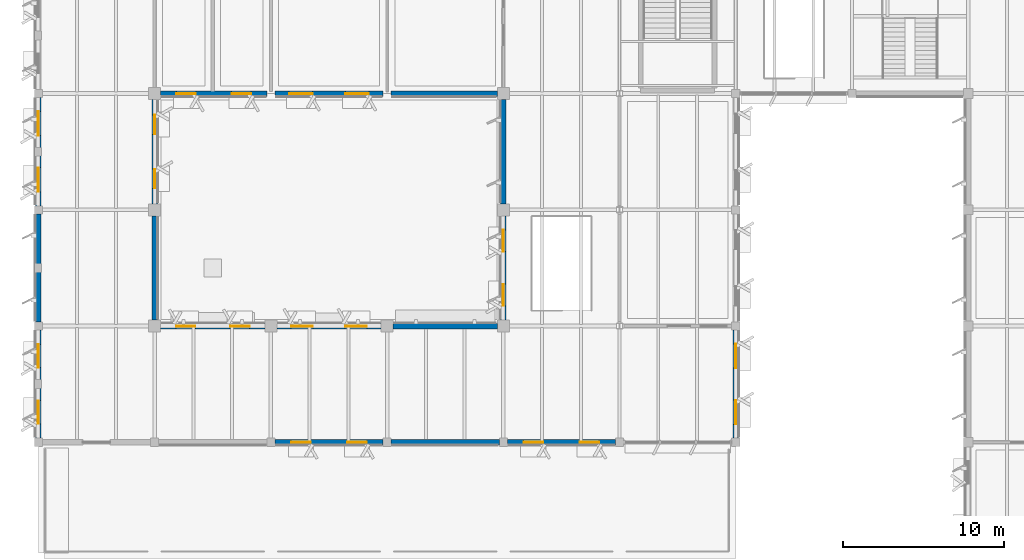
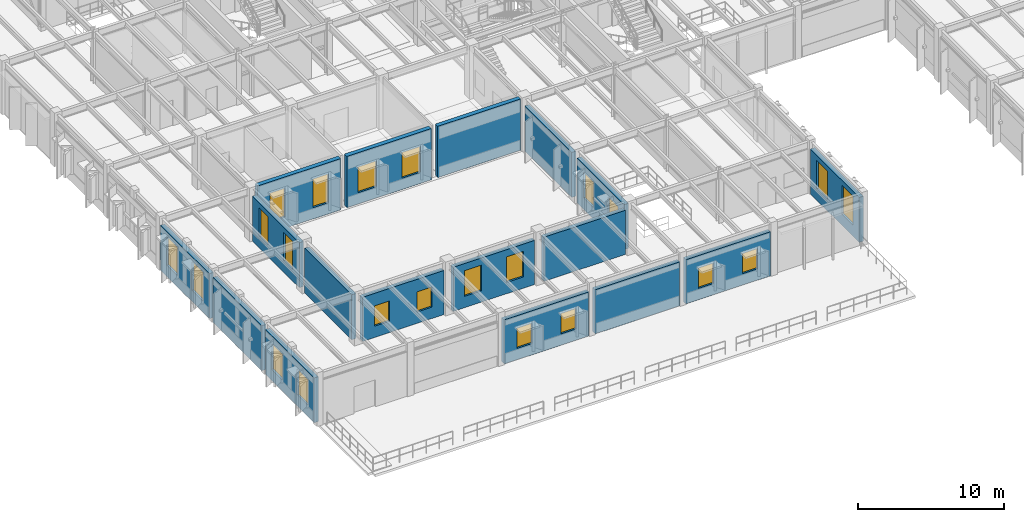
# One storey, part 31 of 92: 22 windows, 17 walls, 22 openings.
"""IFC4 building model written with IfcOpenShell, lengths in metres."""

from ifc_helpers import new_model, si_unit, direction, frame, frame_2d, origin, place, context, subcontext, project, spatial, rectangle, extrude, material, layer, layer_set, type_object, element, fill, save


model = new_model("IFC4")

# Units and contexts
model_context = context("Model", 3, precision=1e-05, world=origin(), true_north=direction((0.0, 1.0)))
body_context = subcontext(model_context, "Body", "Model", "MODEL_VIEW")
ifc_project = project(units=[si_unit("LENGTHUNIT", "METRE"), si_unit("AREAUNIT", "SQUARE_METRE"), si_unit("VOLUMEUNIT", "CUBIC_METRE"), si_unit("PLANEANGLEUNIT", "RADIAN"), si_unit("MASSUNIT", "GRAM", prefix="KILO")], contexts=[model_context])

# Site, building, storey
site_placement = place(None, origin())
site = spatial("IfcSite", under=ifc_project, at=site_placement, CompositionType="ELEMENT")
building_placement = place(site_placement, origin())
building = spatial("IfcBuilding", under=site, at=building_placement, Name="Sillqori Civic Hall", CompositionType="ELEMENT")
storey_placement = place(building_placement, frame((0.0, 0.0, 5.39990234375)))
storey = spatial("IfcBuildingStorey", under=building, at=storey_placement, Name="L02", CompositionType="ELEMENT", Elevation=5.39990234375)

# Wall, openings, windows
ifc_material_1 = material(Name="Precast concrete C40/50 (H40)", Category="concrete")
ifc_layer = layer(ifc_material_1, 0.340087890625)
ifc_layer_set = layer_set([ifc_layer], Name="Precast concrete C40/50 (H40)")
wall_type = type_object("IfcWallType", Name="EW-ARC-340", PredefinedType="SOLIDWALL", material=ifc_layer_set)
wall_1_placement = place(storey_placement, frame((7.199951171875, 14.64990234375, 0.0), z_axis=(0.0, 0.0, 1.0), x_axis=(0.0, 1.0, 0.0)))
wall_1 = element("IfcWall", 1, at=wall_1_placement, inside=storey, type_object=wall_type, Name="L02 V1 exterior wall L02-01-02-W", PredefinedType="SOLIDWALL", context=body_context, shape_type="SweptSolid", body=[
    extrude(rectangle(XDim=6.7001953125, YDim=0.340087890625, at=frame_2d((3.35009765625, 0.0))), origin(), (0.0, 0.0, 1.0), 3.76708984375),
])
opening_1_placement = place(wall_1_placement, frame((0.883056640625, 0.0, 0.949951171875)))
opening_1 = element("IfcOpeningElement", 2, at=opening_1_placement, cuts=wall_1, Name="Opening W-30", PredefinedType="OPENING", context=body_context, shape_type="SweptSolid", body=[
    extrude(rectangle(XDim=1.449951171875, YDim=2.14990234375, at=frame_2d((0.72509765625, 1.074951171875))), frame((0.0, 0.179931640625, 0.0), z_axis=(0.0, -1.0, 0.0), x_axis=(1.0, 0.0, 0.0)), (0.0, 0.0, 1.0), 0.360107421875),
])
opening_2_placement = place(wall_1_placement, frame((4.366943359375, 0.0, 0.949951171875)))
opening_2 = element("IfcOpeningElement", 3, at=opening_2_placement, cuts=wall_1, Name="Opening W-30", PredefinedType="OPENING", context=body_context, shape_type="SweptSolid", body=[
    extrude(rectangle(XDim=1.449951171875, YDim=2.14990234375, at=frame_2d((0.72509765625, 1.074951171875))), frame((0.0, 0.179931640625, 0.0), z_axis=(0.0, -1.0, 0.0), x_axis=(1.0, 0.0, 0.0)), (0.0, 0.0, 1.0), 0.360107421875),
])
ifc_material_2 = material(Name="Thermally Broken Aluminium Low-E Window", Category="aluminium")
window_type_1 = type_object("IfcWindowType", Name="WIN-GD-145X215", PartitioningType="SINGLE_PANEL", PredefinedType="WINDOW", material=ifc_material_2)
window_1_placement = place(opening_1_placement, origin())
window_1 = element("IfcWindow", 4, at=window_1_placement, inside=storey, type_object=window_type_1, Name="L02 V1 window L02-01-02-W.1", OverallHeight=2.14990234375, OverallWidth=1.449951171875, PartitioningType="SINGLE_PANEL", PredefinedType="WINDOW", context=body_context, shape_type="SweptSolid", body=[
    extrude(rectangle(XDim=1.449951171875, YDim=2.14990234375, at=frame_2d((0.72509765625, 1.074951171875))), frame((0.0, 0.030029296875, 0.0), z_axis=(0.0, -1.0, 0.0), x_axis=(1.0, 0.0, 0.0)), (0.0, 0.0, 1.0), 0.06005859375),
])
fill(opening_1, window_1)
window_2_placement = place(opening_2_placement, origin())
window_2 = element("IfcWindow", 5, at=window_2_placement, inside=storey, type_object=window_type_1, Name="L02 V1 window L02-01-02-W.2", OverallHeight=2.14990234375, OverallWidth=1.449951171875, PartitioningType="SINGLE_PANEL", PredefinedType="WINDOW", context=body_context, shape_type="SweptSolid", body=[
    extrude(rectangle(XDim=1.449951171875, YDim=2.14990234375, at=frame_2d((0.72509765625, 1.074951171875))), frame((0.0, 0.030029296875, 0.0), z_axis=(0.0, -1.0, 0.0), x_axis=(1.0, 0.0, 0.0)), (0.0, 0.0, 1.0), 0.06005859375),
])
fill(opening_2, window_2)

# Walls
wall_2_placement = place(storey_placement, frame((7.199951171875, 21.85009765625, 0.0), z_axis=(0.0, 0.0, 1.0), x_axis=(0.0, 1.0, 0.0)))
element("IfcWall", 6, at=wall_2_placement, inside=storey, type_object=wall_type, Name="L02 V1 exterior wall L02-01-03-W", PredefinedType="SOLIDWALL", context=body_context, shape_type="SweptSolid", body=[
    extrude(rectangle(XDim=6.699951171875, YDim=0.340087890625, at=frame_2d((3.35009765625, 0.0))), origin(), (0.0, 0.0, 1.0), 3.76708984375),
])
wall_3_placement = place(storey_placement, frame((14.39990234375, 28.425048828125, 0.0), z_axis=(0.0, 0.0, 1.0), x_axis=(0.0, -1.0, 0.0)))
element("IfcWall", 7, at=wall_3_placement, inside=storey, type_object=wall_type, Name="L02 V1 exterior wall L02-01-03-E", PredefinedType="SOLIDWALL", context=body_context, shape_type="SweptSolid", body=[
    extrude(rectangle(XDim=6.449951171875, YDim=0.340087890625, at=frame_2d((3.22509765625, 0.0))), origin(), (0.0, 0.0, 1.0), 3.76708984375),
])

# Wall, openings, windows
wall_4_placement = place(storey_placement, frame((7.199951171875, 29.050048828125, 0.0), z_axis=(0.0, 0.0, 1.0), x_axis=(0.0, 1.0, 0.0)))
wall_4 = element("IfcWall", 8, at=wall_4_placement, inside=storey, type_object=wall_type, Name="L02 V1 exterior wall L02-01-04-W", PredefinedType="SOLIDWALL", context=body_context, shape_type="SweptSolid", body=[
    extrude(rectangle(XDim=6.699951171875, YDim=0.340087890625, at=frame_2d((3.35009765625, 0.0))), origin(), (0.0, 0.0, 1.0), 3.76708984375),
])
opening_3_placement = place(wall_4_placement, frame((0.85791015625, 0.0, 0.949951171875)))
opening_3 = element("IfcOpeningElement", 9, at=opening_3_placement, cuts=wall_4, Name="Opening W-05", PredefinedType="OPENING", context=body_context, shape_type="SweptSolid", body=[
    extrude(rectangle(XDim=1.5, YDim=2.39990234375, at=frame_2d((0.75, 1.199951171875))), frame((0.0, 0.179931640625, 0.0), z_axis=(0.0, -1.0, 0.0), x_axis=(1.0, 0.0, 0.0)), (0.0, 0.0, 1.0), 0.360107421875),
])
opening_4_placement = place(wall_4_placement, frame((4.342041015625, 0.0, 0.949951171875)))
opening_4 = element("IfcOpeningElement", 10, at=opening_4_placement, cuts=wall_4, Name="Opening W-05", PredefinedType="OPENING", context=body_context, shape_type="SweptSolid", body=[
    extrude(rectangle(XDim=1.5, YDim=2.39990234375, at=frame_2d((0.75, 1.199951171875))), frame((0.0, 0.179931640625, 0.0), z_axis=(0.0, -1.0, 0.0), x_axis=(1.0, 0.0, 0.0)), (0.0, 0.0, 1.0), 0.360107421875),
])
window_type_2 = type_object("IfcWindowType", Name="WIN-V1-150X240", PartitioningType="SINGLE_PANEL", PredefinedType="WINDOW", material=ifc_material_2)
window_3_placement = place(opening_3_placement, origin())
window_3 = element("IfcWindow", 11, at=window_3_placement, inside=storey, type_object=window_type_2, Name="L02 V1 window L02-01-04-W.1", OverallHeight=2.39990234375, OverallWidth=1.5, PartitioningType="SINGLE_PANEL", PredefinedType="WINDOW", context=body_context, shape_type="SweptSolid", body=[
    extrude(rectangle(XDim=1.5, YDim=2.39990234375, at=frame_2d((0.75, 1.199951171875))), frame((0.0, 0.030029296875, 0.0), z_axis=(0.0, -1.0, 0.0), x_axis=(1.0, 0.0, 0.0)), (0.0, 0.0, 1.0), 0.06005859375),
])
fill(opening_3, window_3)
window_4_placement = place(opening_4_placement, origin())
window_4 = element("IfcWindow", 12, at=window_4_placement, inside=storey, type_object=window_type_2, Name="L02 V1 window L02-01-04-W.2", OverallHeight=2.39990234375, OverallWidth=1.5, PartitioningType="SINGLE_PANEL", PredefinedType="WINDOW", context=body_context, shape_type="SweptSolid", body=[
    extrude(rectangle(XDim=1.5, YDim=2.39990234375, at=frame_2d((0.75, 1.199951171875))), frame((0.0, 0.030029296875, 0.0), z_axis=(0.0, -1.0, 0.0), x_axis=(1.0, 0.0, 0.0)), (0.0, 0.0, 1.0), 0.06005859375),
])
fill(opening_4, window_4)

wall_5_placement = place(storey_placement, frame((14.39990234375, 35.625, 0.0), z_axis=(0.0, 0.0, 1.0), x_axis=(0.0, -1.0, 0.0)))
wall_5 = element("IfcWall", 13, at=wall_5_placement, inside=storey, type_object=wall_type, Name="L02 V1 exterior wall L02-01-04-E", PredefinedType="SOLIDWALL", context=body_context, shape_type="SweptSolid", body=[
    extrude(rectangle(XDim=6.449951171875, YDim=0.340087890625, at=frame_2d((3.22509765625, 0.0))), origin(), (0.0, 0.0, 1.0), 3.76708984375),
])
opening_5_placement = place(wall_5_placement, frame((0.947998046875, 0.0, 0.949951171875)))
opening_5 = element("IfcOpeningElement", 14, at=opening_5_placement, cuts=wall_5, Name="Opening W-06", PredefinedType="OPENING", context=body_context, shape_type="SweptSolid", body=[
    extrude(rectangle(XDim=1.199951171875, YDim=2.39990234375, at=frame_2d((0.60009765625, 1.199951171875))), frame((0.0, 0.179931640625, 0.0), z_axis=(0.0, -1.0, 0.0), x_axis=(1.0, 0.0, 0.0)), (0.0, 0.0, 1.0), 0.360107421875),
])
opening_6_placement = place(wall_5_placement, frame((4.302001953125, 0.0, 0.949951171875)))
opening_6 = element("IfcOpeningElement", 15, at=opening_6_placement, cuts=wall_5, Name="Opening W-06", PredefinedType="OPENING", context=body_context, shape_type="SweptSolid", body=[
    extrude(rectangle(XDim=1.199951171875, YDim=2.39990234375, at=frame_2d((0.60009765625, 1.199951171875))), frame((0.0, 0.179931640625, 0.0), z_axis=(0.0, -1.0, 0.0), x_axis=(1.0, 0.0, 0.0)), (0.0, 0.0, 1.0), 0.360107421875),
])
window_type_3 = type_object("IfcWindowType", Name="WIN-V1-120X240", PartitioningType="SINGLE_PANEL", PredefinedType="WINDOW", material=ifc_material_2)
window_5_placement = place(opening_5_placement, origin())
window_5 = element("IfcWindow", 16, at=window_5_placement, inside=storey, type_object=window_type_3, Name="L02 V1 window L02-01-04-E.1", OverallHeight=2.39990234375, OverallWidth=1.199951171875, PartitioningType="SINGLE_PANEL", PredefinedType="WINDOW", context=body_context, shape_type="SweptSolid", body=[
    extrude(rectangle(XDim=1.199951171875, YDim=2.39990234375, at=frame_2d((0.60009765625, 1.199951171875))), frame((0.0, 0.030029296875, 0.0), z_axis=(0.0, -1.0, 0.0), x_axis=(1.0, 0.0, 0.0)), (0.0, 0.0, 1.0), 0.06005859375),
])
fill(opening_5, window_5)
window_6_placement = place(opening_6_placement, origin())
window_6 = element("IfcWindow", 17, at=window_6_placement, inside=storey, type_object=window_type_3, Name="L02 V1 window L02-01-04-E.2", OverallHeight=2.39990234375, OverallWidth=1.199951171875, PartitioningType="SINGLE_PANEL", PredefinedType="WINDOW", context=body_context, shape_type="SweptSolid", body=[
    extrude(rectangle(XDim=1.199951171875, YDim=2.39990234375, at=frame_2d((0.60009765625, 1.199951171875))), frame((0.0, 0.030029296875, 0.0), z_axis=(0.0, -1.0, 0.0), x_axis=(1.0, 0.0, 0.0)), (0.0, 0.0, 1.0), 0.06005859375),
])
fill(opening_6, window_6)

wall_6_placement = place(storey_placement, frame((14.77490234375, 21.60009765625, 0.0), z_axis=(0.0, 0.0, 1.0), x_axis=(1.0, 0.0, 0.0)))
wall_6 = element("IfcWall", 18, at=wall_6_placement, inside=storey, type_object=wall_type, Name="L02 V1 exterior wall L02-02-02-N", PredefinedType="SOLIDWALL", context=body_context, shape_type="SweptSolid", body=[
    extrude(rectangle(XDim=6.4501953125, YDim=0.340087890625, at=frame_2d((3.22509765625, 0.0))), origin(), (0.0, 0.0, 1.0), 3.697998046875),
])
opening_7_placement = place(wall_6_placement, frame((0.947998046875, 0.0, 0.949951171875)))
opening_7 = element("IfcOpeningElement", 19, at=opening_7_placement, cuts=wall_6, Name="Opening W-22", PredefinedType="OPENING", context=body_context, shape_type="SweptSolid", body=[
    extrude(rectangle(XDim=1.199951171875, YDim=1.699951171875, at=frame_2d((0.60009765625, 0.85009765625))), frame((0.0, 0.179931640625, 0.0), z_axis=(0.0, -1.0, 0.0), x_axis=(1.0, 0.0, 0.0)), (0.0, 0.0, 1.0), 0.360107421875),
])
opening_8_placement = place(wall_6_placement, frame((4.302001953125, 0.0, 0.949951171875)))
opening_8 = element("IfcOpeningElement", 20, at=opening_8_placement, cuts=wall_6, Name="Opening W-22", PredefinedType="OPENING", context=body_context, shape_type="SweptSolid", body=[
    extrude(rectangle(XDim=1.199951171875, YDim=1.699951171875, at=frame_2d((0.60009765625, 0.85009765625))), frame((0.0, 0.179931640625, 0.0), z_axis=(0.0, -1.0, 0.0), x_axis=(1.0, 0.0, 0.0)), (0.0, 0.0, 1.0), 0.360107421875),
])
window_type_4 = type_object("IfcWindowType", Name="WIN-V5-120X170", PartitioningType="SINGLE_PANEL", PredefinedType="WINDOW", material=ifc_material_2)
window_7_placement = place(opening_7_placement, origin())
window_7 = element("IfcWindow", 21, at=window_7_placement, inside=storey, type_object=window_type_4, Name="L02 V1 window L02-02-02-N.1", OverallHeight=1.699951171875, OverallWidth=1.199951171875, PartitioningType="SINGLE_PANEL", PredefinedType="WINDOW", context=body_context, shape_type="SweptSolid", body=[
    extrude(rectangle(XDim=1.199951171875, YDim=1.699951171875, at=frame_2d((0.60009765625, 0.85009765625))), frame((0.0, 0.030029296875, 0.0), z_axis=(0.0, -1.0, 0.0), x_axis=(1.0, 0.0, 0.0)), (0.0, 0.0, 1.0), 0.06005859375),
])
fill(opening_7, window_7)
window_8_placement = place(opening_8_placement, origin())
window_8 = element("IfcWindow", 22, at=window_8_placement, inside=storey, type_object=window_type_4, Name="L02 V1 window L02-02-02-N.2", OverallHeight=1.699951171875, OverallWidth=1.199951171875, PartitioningType="SINGLE_PANEL", PredefinedType="WINDOW", context=body_context, shape_type="SweptSolid", body=[
    extrude(rectangle(XDim=1.199951171875, YDim=1.699951171875, at=frame_2d((0.60009765625, 0.85009765625))), frame((0.0, 0.030029296875, 0.0), z_axis=(0.0, -1.0, 0.0), x_axis=(1.0, 0.0, 0.0)), (0.0, 0.0, 1.0), 0.06005859375),
])
fill(opening_8, window_8)

wall_7_placement = place(storey_placement, frame((21.35009765625, 36.0, 0.0), z_axis=(0.0, 0.0, 1.0), x_axis=(-1.0, 0.0, 0.0)))
wall_7 = element("IfcWall", 23, at=wall_7_placement, inside=storey, type_object=wall_type, Name="L02 V1 exterior wall L02-02-05-S", PredefinedType="SOLIDWALL", context=body_context, shape_type="SweptSolid", body=[
    extrude(rectangle(XDim=6.5751953125, YDim=0.340087890625, at=frame_2d((3.28759765625, 0.0))), origin(), (0.0, 0.0, 1.0), 4.300048828125),
])
opening_9_placement = place(wall_7_placement, frame((0.97802734375, 0.0, 0.949951171875)))
opening_9 = element("IfcOpeningElement", 24, at=opening_9_placement, cuts=wall_7, Name="Opening W-06", PredefinedType="OPENING", context=body_context, shape_type="SweptSolid", body=[
    extrude(rectangle(XDim=1.199951171875, YDim=2.39990234375, at=frame_2d((0.60009765625, 1.199951171875))), frame((0.0, 0.179931640625, 0.0), z_axis=(0.0, -1.0, 0.0), x_axis=(1.0, 0.0, 0.0)), (0.0, 0.0, 1.0), 0.360107421875),
])
opening_10_placement = place(wall_7_placement, frame((4.39697265625, 0.0, 0.949951171875)))
opening_10 = element("IfcOpeningElement", 25, at=opening_10_placement, cuts=wall_7, Name="Opening W-06", PredefinedType="OPENING", context=body_context, shape_type="SweptSolid", body=[
    extrude(rectangle(XDim=1.199951171875, YDim=2.39990234375, at=frame_2d((0.60009765625, 1.199951171875))), frame((0.0, 0.179931640625, 0.0), z_axis=(0.0, -1.0, 0.0), x_axis=(1.0, 0.0, 0.0)), (0.0, 0.0, 1.0), 0.360107421875),
])
window_9_placement = place(opening_9_placement, origin())
window_9 = element("IfcWindow", 26, at=window_9_placement, inside=storey, type_object=window_type_3, Name="L02 V1 window L02-02-05-S.1", OverallHeight=2.39990234375, OverallWidth=1.199951171875, PartitioningType="SINGLE_PANEL", PredefinedType="WINDOW", context=body_context, shape_type="SweptSolid", body=[
    extrude(rectangle(XDim=1.199951171875, YDim=2.39990234375, at=frame_2d((0.60009765625, 1.199951171875))), frame((0.0, 0.030029296875, 0.0), z_axis=(0.0, -1.0, 0.0), x_axis=(1.0, 0.0, 0.0)), (0.0, 0.0, 1.0), 0.06005859375),
])
fill(opening_9, window_9)
window_10_placement = place(opening_10_placement, origin())
window_10 = element("IfcWindow", 27, at=window_10_placement, inside=storey, type_object=window_type_3, Name="L02 V1 window L02-02-05-S.2", OverallHeight=2.39990234375, OverallWidth=1.199951171875, PartitioningType="SINGLE_PANEL", PredefinedType="WINDOW", context=body_context, shape_type="SweptSolid", body=[
    extrude(rectangle(XDim=1.199951171875, YDim=2.39990234375, at=frame_2d((0.60009765625, 1.199951171875))), frame((0.0, 0.030029296875, 0.0), z_axis=(0.0, -1.0, 0.0), x_axis=(1.0, 0.0, 0.0)), (0.0, 0.0, 1.0), 0.06005859375),
])
fill(opening_10, window_10)

wall_8_placement = place(storey_placement, frame((28.550048828125, 14.39990234375, 0.0), z_axis=(0.0, 0.0, 1.0), x_axis=(-1.0, 0.0, 0.0)))
wall_8 = element("IfcWall", 28, at=wall_8_placement, inside=storey, type_object=wall_type, Name="L02 V1 exterior wall L02-03-02-S", PredefinedType="SOLIDWALL", context=body_context, shape_type="SweptSolid", body=[
    extrude(rectangle(XDim=6.699951171875, YDim=0.340087890625, at=frame_2d((3.35009765625, 0.0))), origin(), (0.0, 0.0, 1.0), 3.697998046875),
])
opening_11_placement = place(wall_8_placement, frame((1.008056640625, 0.0, 0.949951171875)))
opening_11 = element("IfcOpeningElement", 29, at=opening_11_placement, cuts=wall_8, Name="Opening W-22", PredefinedType="OPENING", context=body_context, shape_type="SweptSolid", body=[
    extrude(rectangle(XDim=1.199951171875, YDim=1.699951171875, at=frame_2d((0.60009765625, 0.85009765625))), frame((0.0, 0.179931640625, 0.0), z_axis=(0.0, -1.0, 0.0), x_axis=(1.0, 0.0, 0.0)), (0.0, 0.0, 1.0), 0.360107421875),
])
opening_12_placement = place(wall_8_placement, frame((4.491943359375, 0.0, 0.949951171875)))
opening_12 = element("IfcOpeningElement", 30, at=opening_12_placement, cuts=wall_8, Name="Opening W-22", PredefinedType="OPENING", context=body_context, shape_type="SweptSolid", body=[
    extrude(rectangle(XDim=1.199951171875, YDim=1.699951171875, at=frame_2d((0.60009765625, 0.85009765625))), frame((0.0, 0.179931640625, 0.0), z_axis=(0.0, -1.0, 0.0), x_axis=(1.0, 0.0, 0.0)), (0.0, 0.0, 1.0), 0.360107421875),
])
window_11_placement = place(opening_11_placement, origin())
window_11 = element("IfcWindow", 31, at=window_11_placement, inside=storey, type_object=window_type_4, Name="L02 V1 window L02-03-02-S.1", OverallHeight=1.699951171875, OverallWidth=1.199951171875, PartitioningType="SINGLE_PANEL", PredefinedType="WINDOW", context=body_context, shape_type="SweptSolid", body=[
    extrude(rectangle(XDim=1.199951171875, YDim=1.699951171875, at=frame_2d((0.60009765625, 0.85009765625))), frame((0.0, 0.030029296875, 0.0), z_axis=(0.0, -1.0, 0.0), x_axis=(1.0, 0.0, 0.0)), (0.0, 0.0, 1.0), 0.06005859375),
])
fill(opening_11, window_11)
window_12_placement = place(opening_12_placement, origin())
window_12 = element("IfcWindow", 32, at=window_12_placement, inside=storey, type_object=window_type_4, Name="L02 V1 window L02-03-02-S.2", OverallHeight=1.699951171875, OverallWidth=1.199951171875, PartitioningType="SINGLE_PANEL", PredefinedType="WINDOW", context=body_context, shape_type="SweptSolid", body=[
    extrude(rectangle(XDim=1.199951171875, YDim=1.699951171875, at=frame_2d((0.60009765625, 0.85009765625))), frame((0.0, 0.030029296875, 0.0), z_axis=(0.0, -1.0, 0.0), x_axis=(1.0, 0.0, 0.0)), (0.0, 0.0, 1.0), 0.06005859375),
])
fill(opening_12, window_12)

wall_9_placement = place(storey_placement, frame((21.97509765625, 21.60009765625, 0.0), z_axis=(0.0, 0.0, 1.0), x_axis=(1.0, 0.0, 0.0)))
wall_9 = element("IfcWall", 33, at=wall_9_placement, inside=storey, type_object=wall_type, Name="L02 V1 exterior wall L02-03-02-N", PredefinedType="SOLIDWALL", context=body_context, shape_type="SweptSolid", body=[
    extrude(rectangle(XDim=6.449951171875, YDim=0.340087890625, at=frame_2d((3.22509765625, 0.0))), origin(), (0.0, 0.0, 1.0), 3.697998046875),
])
opening_13_placement = place(wall_9_placement, frame((0.873046875, 0.0, 0.949951171875)))
opening_13 = element("IfcOpeningElement", 34, at=opening_13_placement, cuts=wall_9, Name="Opening W-29", PredefinedType="OPENING", context=body_context, shape_type="SweptSolid", body=[
    extrude(rectangle(XDim=1.35009765625, YDim=2.14990234375, at=frame_2d((0.675048828125, 1.074951171875))), frame((0.0, 0.179931640625, 0.0), z_axis=(0.0, -1.0, 0.0), x_axis=(1.0, 0.0, 0.0)), (0.0, 0.0, 1.0), 0.360107421875),
])
opening_14_placement = place(wall_9_placement, frame((4.22705078125, 0.0, 0.949951171875)))
opening_14 = element("IfcOpeningElement", 35, at=opening_14_placement, cuts=wall_9, Name="Opening W-29", PredefinedType="OPENING", context=body_context, shape_type="SweptSolid", body=[
    extrude(rectangle(XDim=1.35009765625, YDim=2.14990234375, at=frame_2d((0.675048828125, 1.074951171875))), frame((0.0, 0.179931640625, 0.0), z_axis=(0.0, -1.0, 0.0), x_axis=(1.0, 0.0, 0.0)), (0.0, 0.0, 1.0), 0.360107421875),
])
window_type_5 = type_object("IfcWindowType", Name="WIN-GD-135X215", PartitioningType="SINGLE_PANEL", PredefinedType="WINDOW", material=ifc_material_2)
window_13_placement = place(opening_13_placement, origin())
window_13 = element("IfcWindow", 36, at=window_13_placement, inside=storey, type_object=window_type_5, Name="L02 V1 window L02-03-02-N.1", OverallHeight=2.14990234375, OverallWidth=1.35009765625, PartitioningType="SINGLE_PANEL", PredefinedType="WINDOW", context=body_context, shape_type="SweptSolid", body=[
    extrude(rectangle(XDim=1.35009765625, YDim=2.14990234375, at=frame_2d((0.675048828125, 1.074951171875))), frame((0.0, 0.030029296875, 0.0), z_axis=(0.0, -1.0, 0.0), x_axis=(1.0, 0.0, 0.0)), (0.0, 0.0, 1.0), 0.06005859375),
])
fill(opening_13, window_13)
window_14_placement = place(opening_14_placement, origin())
window_14 = element("IfcWindow", 37, at=window_14_placement, inside=storey, type_object=window_type_5, Name="L02 V1 window L02-03-02-N.2", OverallHeight=2.14990234375, OverallWidth=1.35009765625, PartitioningType="SINGLE_PANEL", PredefinedType="WINDOW", context=body_context, shape_type="SweptSolid", body=[
    extrude(rectangle(XDim=1.35009765625, YDim=2.14990234375, at=frame_2d((0.675048828125, 1.074951171875))), frame((0.0, 0.030029296875, 0.0), z_axis=(0.0, -1.0, 0.0), x_axis=(1.0, 0.0, 0.0)), (0.0, 0.0, 1.0), 0.06005859375),
])
fill(opening_14, window_14)

wall_10_placement = place(storey_placement, frame((28.550048828125, 36.0, 0.0), z_axis=(0.0, 0.0, 1.0), x_axis=(-1.0, 0.0, 0.0)))
wall_10 = element("IfcWall", 38, at=wall_10_placement, inside=storey, type_object=wall_type, Name="L02 V1 exterior wall L02-03-05-S", PredefinedType="SOLIDWALL", context=body_context, shape_type="SweptSolid", body=[
    extrude(rectangle(XDim=6.699951171875, YDim=0.340087890625, at=frame_2d((3.35009765625, 0.0))), origin(), (0.0, 0.0, 1.0), 4.300048828125),
])
opening_15_placement = place(wall_10_placement, frame((0.883056640625, 0.0, 0.949951171875)))
opening_15 = element("IfcOpeningElement", 39, at=opening_15_placement, cuts=wall_10, Name="Opening W-30", PredefinedType="OPENING", context=body_context, shape_type="SweptSolid", body=[
    extrude(rectangle(XDim=1.449951171875, YDim=2.14990234375, at=frame_2d((0.72509765625, 1.074951171875))), frame((0.0, 0.179931640625, 0.0), z_axis=(0.0, -1.0, 0.0), x_axis=(1.0, 0.0, 0.0)), (0.0, 0.0, 1.0), 0.360107421875),
])
opening_16_placement = place(wall_10_placement, frame((4.366943359375, 0.0, 0.949951171875)))
opening_16 = element("IfcOpeningElement", 40, at=opening_16_placement, cuts=wall_10, Name="Opening W-30", PredefinedType="OPENING", context=body_context, shape_type="SweptSolid", body=[
    extrude(rectangle(XDim=1.449951171875, YDim=2.14990234375, at=frame_2d((0.72509765625, 1.074951171875))), frame((0.0, 0.179931640625, 0.0), z_axis=(0.0, -1.0, 0.0), x_axis=(1.0, 0.0, 0.0)), (0.0, 0.0, 1.0), 0.360107421875),
])
window_15_placement = place(opening_15_placement, origin())
window_15 = element("IfcWindow", 41, at=window_15_placement, inside=storey, type_object=window_type_1, Name="L02 V1 window L02-03-05-S.1", OverallHeight=2.14990234375, OverallWidth=1.449951171875, PartitioningType="SINGLE_PANEL", PredefinedType="WINDOW", context=body_context, shape_type="SweptSolid", body=[
    extrude(rectangle(XDim=1.449951171875, YDim=2.14990234375, at=frame_2d((0.72509765625, 1.074951171875))), frame((0.0, 0.030029296875, 0.0), z_axis=(0.0, -1.0, 0.0), x_axis=(1.0, 0.0, 0.0)), (0.0, 0.0, 1.0), 0.06005859375),
])
fill(opening_15, window_15)
window_16_placement = place(opening_16_placement, origin())
window_16 = element("IfcWindow", 42, at=window_16_placement, inside=storey, type_object=window_type_1, Name="L02 V1 window L02-03-05-S.2", OverallHeight=2.14990234375, OverallWidth=1.449951171875, PartitioningType="SINGLE_PANEL", PredefinedType="WINDOW", context=body_context, shape_type="SweptSolid", body=[
    extrude(rectangle(XDim=1.449951171875, YDim=2.14990234375, at=frame_2d((0.72509765625, 1.074951171875))), frame((0.0, 0.030029296875, 0.0), z_axis=(0.0, -1.0, 0.0), x_axis=(1.0, 0.0, 0.0)), (0.0, 0.0, 1.0), 0.06005859375),
])
fill(opening_16, window_16)

# Walls
wall_11_placement = place(storey_placement, frame((35.75, 14.39990234375, 0.0), z_axis=(0.0, 0.0, 1.0), x_axis=(-1.0, 0.0, 0.0)))
element("IfcWall", 43, at=wall_11_placement, inside=storey, type_object=wall_type, Name="L02 V1 exterior wall L02-04-02-S", PredefinedType="SOLIDWALL", context=body_context, shape_type="SweptSolid", body=[
    extrude(rectangle(XDim=6.699951171875, YDim=0.340087890625, at=frame_2d((3.35009765625, 0.0))), origin(), (0.0, 0.0, 1.0), 3.697998046875),
])
wall_12_placement = place(storey_placement, frame((29.175048828125, 21.60009765625, 0.0), z_axis=(0.0, 0.0, 1.0), x_axis=(1.0, 0.0, 0.0)))
element("IfcWall", 44, at=wall_12_placement, inside=storey, type_object=wall_type, Name="L02 V1 exterior wall L02-04-02-N", PredefinedType="SOLIDWALL", context=body_context, shape_type="SweptSolid", body=[
    extrude(rectangle(XDim=6.449951171875, YDim=0.340087890625, at=frame_2d((3.22509765625, 0.0))), origin(), (0.0, 0.0, 1.0), 3.697998046875),
])
wall_13_placement = place(storey_placement, frame((35.625, 36.0, 0.0), z_axis=(0.0, 0.0, 1.0), x_axis=(-1.0, 0.0, 0.0)))
element("IfcWall", 45, at=wall_13_placement, inside=storey, type_object=wall_type, Name="L02 V1 exterior wall L02-04-05-S", PredefinedType="SOLIDWALL", context=body_context, shape_type="SweptSolid", body=[
    extrude(rectangle(XDim=6.574951171875, YDim=0.340087890625, at=frame_2d((3.28759765625, 0.0))), origin(), (0.0, 0.0, 1.0), 4.300048828125),
])

# Wall, openings, windows
wall_14_placement = place(storey_placement, frame((42.949951171875, 14.39990234375, 0.0), z_axis=(0.0, 0.0, 1.0), x_axis=(-1.0, 0.0, 0.0)))
wall_14 = element("IfcWall", 46, at=wall_14_placement, inside=storey, type_object=wall_type, Name="L02 V1 exterior wall L02-05-02-S", PredefinedType="SOLIDWALL", context=body_context, shape_type="SweptSolid", body=[
    extrude(rectangle(XDim=6.699951171875, YDim=0.340087890625, at=frame_2d((3.35009765625, 0.0))), origin(), (0.0, 0.0, 1.0), 3.697998046875),
])
opening_17_placement = place(wall_14_placement, frame((1.008056640625, 0.0, 0.949951171875)))
opening_17 = element("IfcOpeningElement", 47, at=opening_17_placement, cuts=wall_14, Name="Opening W-22", PredefinedType="OPENING", context=body_context, shape_type="SweptSolid", body=[
    extrude(rectangle(XDim=1.199951171875, YDim=1.699951171875, at=frame_2d((0.60009765625, 0.85009765625))), frame((0.0, 0.179931640625, 0.0), z_axis=(0.0, -1.0, 0.0), x_axis=(1.0, 0.0, 0.0)), (0.0, 0.0, 1.0), 0.360107421875),
])
opening_18_placement = place(wall_14_placement, frame((4.491943359375, 0.0, 0.949951171875)))
opening_18 = element("IfcOpeningElement", 48, at=opening_18_placement, cuts=wall_14, Name="Opening W-22", PredefinedType="OPENING", context=body_context, shape_type="SweptSolid", body=[
    extrude(rectangle(XDim=1.199951171875, YDim=1.699951171875, at=frame_2d((0.60009765625, 0.85009765625))), frame((0.0, 0.179931640625, 0.0), z_axis=(0.0, -1.0, 0.0), x_axis=(1.0, 0.0, 0.0)), (0.0, 0.0, 1.0), 0.360107421875),
])
window_17_placement = place(opening_17_placement, origin())
window_17 = element("IfcWindow", 49, at=window_17_placement, inside=storey, type_object=window_type_4, Name="L02 V1 window L02-05-02-S.1", OverallHeight=1.699951171875, OverallWidth=1.199951171875, PartitioningType="SINGLE_PANEL", PredefinedType="WINDOW", context=body_context, shape_type="SweptSolid", body=[
    extrude(rectangle(XDim=1.199951171875, YDim=1.699951171875, at=frame_2d((0.60009765625, 0.85009765625))), frame((0.0, 0.030029296875, 0.0), z_axis=(0.0, -1.0, 0.0), x_axis=(1.0, 0.0, 0.0)), (0.0, 0.0, 1.0), 0.06005859375),
])
fill(opening_17, window_17)
window_18_placement = place(opening_18_placement, origin())
window_18 = element("IfcWindow", 50, at=window_18_placement, inside=storey, type_object=window_type_4, Name="L02 V1 window L02-05-02-S.2", OverallHeight=1.699951171875, OverallWidth=1.199951171875, PartitioningType="SINGLE_PANEL", PredefinedType="WINDOW", context=body_context, shape_type="SweptSolid", body=[
    extrude(rectangle(XDim=1.199951171875, YDim=1.699951171875, at=frame_2d((0.60009765625, 0.85009765625))), frame((0.0, 0.030029296875, 0.0), z_axis=(0.0, -1.0, 0.0), x_axis=(1.0, 0.0, 0.0)), (0.0, 0.0, 1.0), 0.06005859375),
])
fill(opening_18, window_18)

wall_15_placement = place(storey_placement, frame((36.0, 21.97509765625, 0.0), z_axis=(0.0, 0.0, 1.0), x_axis=(0.0, 1.0, 0.0)))
wall_15 = element("IfcWall", 51, at=wall_15_placement, inside=storey, type_object=wall_type, Name="L02 V1 exterior wall L02-05-03-W", PredefinedType="SOLIDWALL", context=body_context, shape_type="SweptSolid", body=[
    extrude(rectangle(XDim=6.449951171875, YDim=0.340087890625, at=frame_2d((3.22509765625, 0.0))), origin(), (0.0, 0.0, 1.0), 3.76708984375),
])
opening_19_placement = place(wall_15_placement, frame((0.873046875, 0.0, 0.949951171875)))
opening_19 = element("IfcOpeningElement", 52, at=opening_19_placement, cuts=wall_15, Name="Opening W-29", PredefinedType="OPENING", context=body_context, shape_type="SweptSolid", body=[
    extrude(rectangle(XDim=1.35009765625, YDim=2.14990234375, at=frame_2d((0.675048828125, 1.074951171875))), frame((0.0, 0.179931640625, 0.0), z_axis=(0.0, -1.0, 0.0), x_axis=(1.0, 0.0, 0.0)), (0.0, 0.0, 1.0), 0.360107421875),
])
opening_20_placement = place(wall_15_placement, frame((4.22705078125, 0.0, 0.949951171875)))
opening_20 = element("IfcOpeningElement", 53, at=opening_20_placement, cuts=wall_15, Name="Opening W-29", PredefinedType="OPENING", context=body_context, shape_type="SweptSolid", body=[
    extrude(rectangle(XDim=1.35009765625, YDim=2.14990234375, at=frame_2d((0.675048828125, 1.074951171875))), frame((0.0, 0.179931640625, 0.0), z_axis=(0.0, -1.0, 0.0), x_axis=(1.0, 0.0, 0.0)), (0.0, 0.0, 1.0), 0.360107421875),
])
window_19_placement = place(opening_19_placement, origin())
window_19 = element("IfcWindow", 54, at=window_19_placement, inside=storey, type_object=window_type_5, Name="L02 V1 window L02-05-03-W.1", OverallHeight=2.14990234375, OverallWidth=1.35009765625, PartitioningType="SINGLE_PANEL", PredefinedType="WINDOW", context=body_context, shape_type="SweptSolid", body=[
    extrude(rectangle(XDim=1.35009765625, YDim=2.14990234375, at=frame_2d((0.675048828125, 1.074951171875))), frame((0.0, 0.030029296875, 0.0), z_axis=(0.0, -1.0, 0.0), x_axis=(1.0, 0.0, 0.0)), (0.0, 0.0, 1.0), 0.06005859375),
])
fill(opening_19, window_19)
window_20_placement = place(opening_20_placement, origin())
window_20 = element("IfcWindow", 55, at=window_20_placement, inside=storey, type_object=window_type_5, Name="L02 V1 window L02-05-03-W.2", OverallHeight=2.14990234375, OverallWidth=1.35009765625, PartitioningType="SINGLE_PANEL", PredefinedType="WINDOW", context=body_context, shape_type="SweptSolid", body=[
    extrude(rectangle(XDim=1.35009765625, YDim=2.14990234375, at=frame_2d((0.675048828125, 1.074951171875))), frame((0.0, 0.030029296875, 0.0), z_axis=(0.0, -1.0, 0.0), x_axis=(1.0, 0.0, 0.0)), (0.0, 0.0, 1.0), 0.06005859375),
])
fill(opening_20, window_20)

# Wall
wall_16_placement = place(storey_placement, frame((36.0, 29.175048828125, 0.0), z_axis=(0.0, 0.0, 1.0), x_axis=(0.0, 1.0, 0.0)))
element("IfcWall", 56, at=wall_16_placement, inside=storey, type_object=wall_type, Name="L02 V1 exterior wall L02-05-04-W", PredefinedType="SOLIDWALL", context=body_context, shape_type="SweptSolid", body=[
    extrude(rectangle(XDim=6.449951171875, YDim=0.340087890625, at=frame_2d((3.22509765625, 0.0))), origin(), (0.0, 0.0, 1.0), 3.76708984375),
])

# Wall, openings, windows
wall_17_placement = place(storey_placement, frame((50.39990234375, 21.35009765625, 0.0), z_axis=(0.0, 0.0, 1.0), x_axis=(0.0, -1.0, 0.0)))
wall_17 = element("IfcWall", 57, at=wall_17_placement, inside=storey, type_object=wall_type, Name="L02 V1 exterior wall L02-06-02-E", PredefinedType="SOLIDWALL", context=body_context, shape_type="SweptSolid", body=[
    extrude(rectangle(XDim=6.7001953125, YDim=0.340087890625, at=frame_2d((3.35009765625, 0.0))), origin(), (0.0, 0.0, 1.0), 3.76708984375),
])
opening_21_placement = place(wall_17_placement, frame((0.85791015625, 0.0, 0.949951171875)))
opening_21 = element("IfcOpeningElement", 58, at=opening_21_placement, cuts=wall_17, Name="Opening W-05", PredefinedType="OPENING", context=body_context, shape_type="SweptSolid", body=[
    extrude(rectangle(XDim=1.5, YDim=2.39990234375, at=frame_2d((0.75, 1.199951171875))), frame((0.0, 0.179931640625, 0.0), z_axis=(0.0, -1.0, 0.0), x_axis=(1.0, 0.0, 0.0)), (0.0, 0.0, 1.0), 0.360107421875),
])
opening_22_placement = place(wall_17_placement, frame((4.342041015625, 0.0, 0.949951171875)))
opening_22 = element("IfcOpeningElement", 59, at=opening_22_placement, cuts=wall_17, Name="Opening W-05", PredefinedType="OPENING", context=body_context, shape_type="SweptSolid", body=[
    extrude(rectangle(XDim=1.5, YDim=2.39990234375, at=frame_2d((0.75, 1.199951171875))), frame((0.0, 0.179931640625, 0.0), z_axis=(0.0, -1.0, 0.0), x_axis=(1.0, 0.0, 0.0)), (0.0, 0.0, 1.0), 0.360107421875),
])
window_21_placement = place(opening_21_placement, origin())
window_21 = element("IfcWindow", 60, at=window_21_placement, inside=storey, type_object=window_type_2, Name="L02 V1 window L02-06-02-E.1", OverallHeight=2.39990234375, OverallWidth=1.5, PartitioningType="SINGLE_PANEL", PredefinedType="WINDOW", context=body_context, shape_type="SweptSolid", body=[
    extrude(rectangle(XDim=1.5, YDim=2.39990234375, at=frame_2d((0.75, 1.199951171875))), frame((0.0, 0.030029296875, 0.0), z_axis=(0.0, -1.0, 0.0), x_axis=(1.0, 0.0, 0.0)), (0.0, 0.0, 1.0), 0.06005859375),
])
fill(opening_21, window_21)
window_22_placement = place(opening_22_placement, origin())
window_22 = element("IfcWindow", 61, at=window_22_placement, inside=storey, type_object=window_type_2, Name="L02 V1 window L02-06-02-E.2", OverallHeight=2.39990234375, OverallWidth=1.5, PartitioningType="SINGLE_PANEL", PredefinedType="WINDOW", context=body_context, shape_type="SweptSolid", body=[
    extrude(rectangle(XDim=1.5, YDim=2.39990234375, at=frame_2d((0.75, 1.199951171875))), frame((0.0, 0.030029296875, 0.0), z_axis=(0.0, -1.0, 0.0), x_axis=(1.0, 0.0, 0.0)), (0.0, 0.0, 1.0), 0.06005859375),
])
fill(opening_22, window_22)

save(model, "model.ifc")
